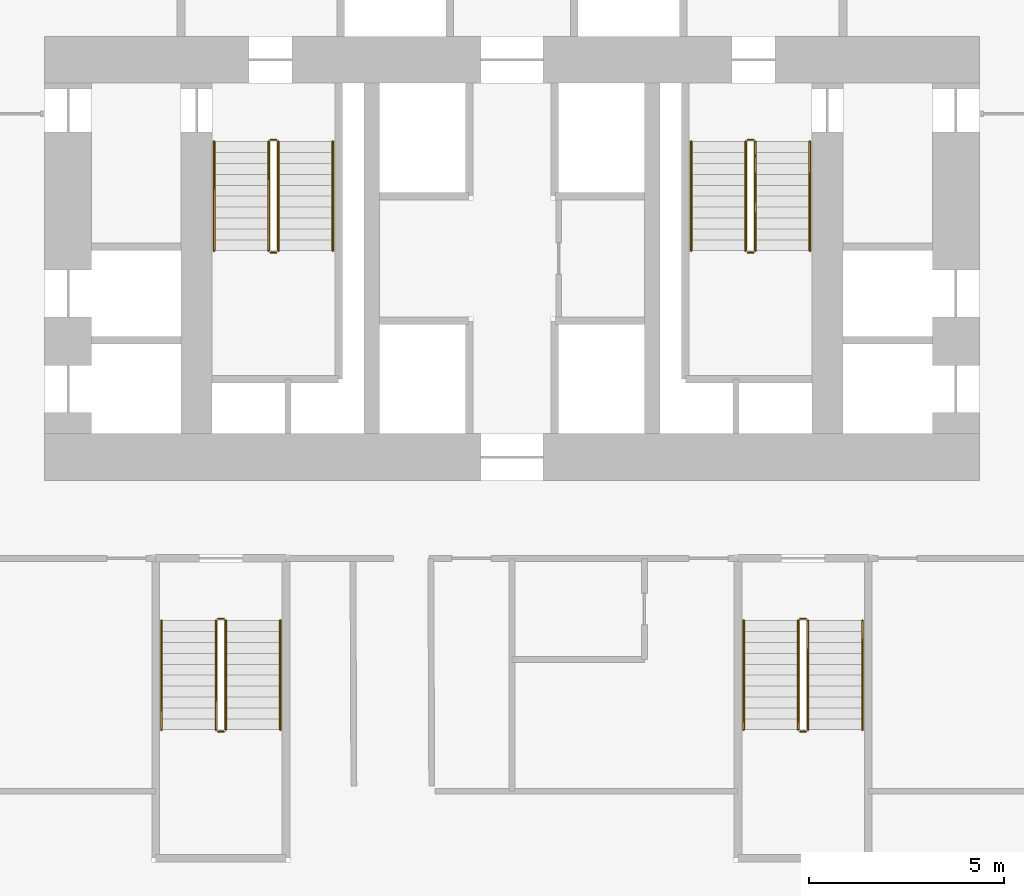
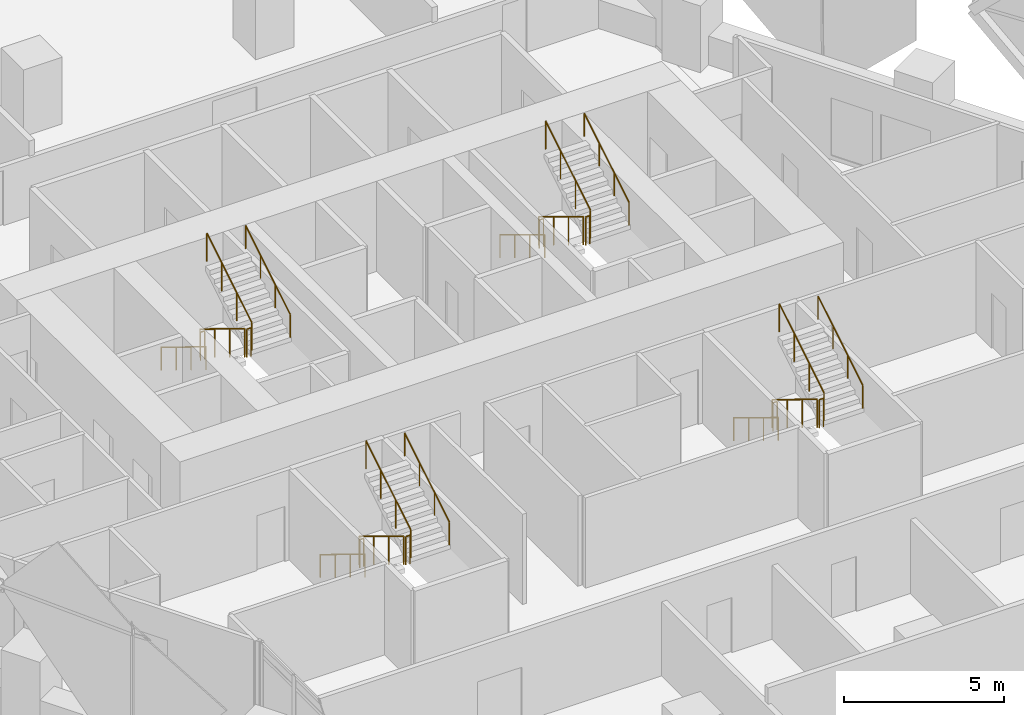
# One storey, part 35 of 35: 24 railings.
"""IFC4 building model written with IfcOpenShell, lengths in metres."""

from ifc_helpers import new_model, si_unit, direction, frame, origin, origin_2d, place, context, subcontext, project, spatial, circle, extrude, material, type_object, element, save


model = new_model("IFC4")

# Units and contexts
model_context = context("Model", 3, precision=1e-05, world=origin(), true_north=direction((0.0, 1.0)))
body_context = subcontext(model_context, "Body", "Model", "MODEL_VIEW")
ifc_project = project(units=[si_unit("LENGTHUNIT", "METRE"), si_unit("AREAUNIT", "SQUARE_METRE"), si_unit("VOLUMEUNIT", "CUBIC_METRE"), si_unit("PLANEANGLEUNIT", "RADIAN"), si_unit("MASSUNIT", "GRAM", prefix="KILO")], contexts=[model_context])

# Site, building, storey
site_placement = place(None, origin())
site = spatial("IfcSite", under=ifc_project, at=site_placement, CompositionType="ELEMENT")
building_placement = place(site_placement, origin())
building = spatial("IfcBuilding", under=site, at=building_placement, Name="Ostrander Bayou Hotel Tower", CompositionType="ELEMENT")
storey_placement = place(building_placement, frame((0.0, 0.0, 69.25)))
storey = spatial("IfcBuildingStorey", under=building, at=storey_placement, Name="L17", CompositionType="ELEMENT", Elevation=69.25)

# Railings
ifc_material_1 = material(Name="Steel ASTM A500 Gr C", Category="steel")
railing_type_1 = type_object("IfcRailingType", Name="GR1 stair guard 1100 mm steel", PredefinedType="GUARDRAIL", material=ifc_material_1)
railing_1_placement = place(storey_placement, frame((-6.25, 7.0, 0.17041015625)))
element("IfcRailing", 1, at=railing_1_placement, inside=storey, type_object=railing_type_1, Name="L17 STA stair guard 1", PredefinedType="GUARDRAIL", context=body_context, shape_type="SweptSolid", body=[
    extrude(circle(Radius=0.02392578125, at=origin_2d()), frame((0.0, 0.0, 1.076171875), z_axis=(0.0, -0.854169791009, 0.51999420009), x_axis=(1.0, 0.0, 0.0)), (0.0, 0.0, 1.0), 3.278076171875),
    extrude(circle(Radius=0.02099609375, at=origin_2d()), origin(), (0.0, 0.0, 1.0), 1.052001953125),
    extrude(circle(Radius=0.02099609375, at=origin_2d()), frame((0.0, -0.933349609375, 0.568115234375)), (0.0, 0.0, 1.0), 1.052001953125),
    extrude(circle(Radius=0.02099609375, at=origin_2d()), frame((0.0, -1.86669921875, 1.136474609375)), (0.0, 0.0, 1.0), 1.052001953125),
    extrude(circle(Radius=0.02099609375, at=origin_2d()), frame((0.0, -2.800048828125, 1.70458984375)), (0.0, 0.0, 1.0), 1.052001953125),
])
railing_2_placement = place(storey_placement, frame((-6.199951171875, 4.14990234375, 1.875)))
element("IfcRailing", 2, at=railing_2_placement, inside=storey, type_object=railing_type_1, Name="L17 STA stair guard 2", PredefinedType="GUARDRAIL", context=body_context, shape_type="SweptSolid", body=[
    extrude(circle(Radius=0.02392578125, at=origin_2d()), frame((0.0, 0.0, 1.076171875), z_axis=(1.0, 0.0, 0.0), x_axis=(0.0, 1.0, 0.0)), (0.0, 0.0, 1.0), 0.14990234375),
    extrude(circle(Radius=0.02099609375, at=origin_2d()), origin(), (0.0, 0.0, 1.0), 1.052001953125),
    extrude(circle(Radius=0.02099609375, at=origin_2d()), frame((0.14990234375, 0.0, 0.0)), (0.0, 0.0, 1.0), 1.052001953125),
])
railing_3_placement = place(storey_placement, frame((-6.0, 4.199951171875, 2.04541015625)))
element("IfcRailing", 3, at=railing_3_placement, inside=storey, type_object=railing_type_1, Name="L17 STA stair guard 3", PredefinedType="GUARDRAIL", context=body_context, shape_type="SweptSolid", body=[
    extrude(circle(Radius=0.02392578125, at=origin_2d()), frame((0.0, 0.0, 1.076171875), z_axis=(0.0, 0.854169791009, 0.51999420009), x_axis=(-1.0, 0.0, 0.0)), (0.0, 0.0, 1.0), 3.278076171875),
    extrude(circle(Radius=0.02099609375, at=origin_2d()), origin(), (0.0, 0.0, 1.0), 1.052001953125),
    extrude(circle(Radius=0.02099609375, at=origin_2d()), frame((0.0, 0.933349609375, 0.568115234375)), (0.0, 0.0, 1.0), 1.052001953125),
    extrude(circle(Radius=0.02099609375, at=origin_2d()), frame((0.0, 1.86669921875, 1.136474609375)), (0.0, 0.0, 1.0), 1.052001953125),
    extrude(circle(Radius=0.02099609375, at=origin_2d()), frame((0.0, 2.800048828125, 1.70458984375)), (0.0, 0.0, 1.0), 1.052001953125),
])
railing_4_placement = place(storey_placement, frame((-6.199951171875, 7.050048828125, 0.0)))
element("IfcRailing", 4, at=railing_4_placement, inside=storey, type_object=railing_type_1, Name="L17 STA stair guard 4", PredefinedType="GUARDRAIL", context=body_context, shape_type="SweptSolid", body=[
    extrude(circle(Radius=0.02392578125, at=origin_2d()), frame((0.0, 0.0, 1.076171875), z_axis=(1.0, 0.0, 0.0), x_axis=(0.0, 1.0, 0.0)), (0.0, 0.0, 1.0), 0.14990234375),
    extrude(circle(Radius=0.02099609375, at=origin_2d()), origin(), (0.0, 0.0, 1.0), 1.052001953125),
    extrude(circle(Radius=0.02099609375, at=origin_2d()), frame((0.14990234375, 0.0, 0.0)), (0.0, 0.0, 1.0), 1.052001953125),
])
railing_5_placement = place(storey_placement, frame((6.0, 7.0, 0.17041015625)))
element("IfcRailing", 5, at=railing_5_placement, inside=storey, type_object=railing_type_1, Name="L17 STB stair guard 1", PredefinedType="GUARDRAIL", context=body_context, shape_type="SweptSolid", body=[
    extrude(circle(Radius=0.02392578125, at=origin_2d()), frame((0.0, 0.0, 1.076171875), z_axis=(0.0, -0.854169791009, 0.51999420009), x_axis=(1.0, 0.0, 0.0)), (0.0, 0.0, 1.0), 3.278076171875),
    extrude(circle(Radius=0.02099609375, at=origin_2d()), origin(), (0.0, 0.0, 1.0), 1.052001953125),
    extrude(circle(Radius=0.02099609375, at=origin_2d()), frame((0.0, -0.933349609375, 0.568115234375)), (0.0, 0.0, 1.0), 1.052001953125),
    extrude(circle(Radius=0.02099609375, at=origin_2d()), frame((0.0, -1.86669921875, 1.136474609375)), (0.0, 0.0, 1.0), 1.052001953125),
    extrude(circle(Radius=0.02099609375, at=origin_2d()), frame((0.0, -2.800048828125, 1.70458984375)), (0.0, 0.0, 1.0), 1.052001953125),
])
railing_6_placement = place(storey_placement, frame((6.050048828125, 4.14990234375, 1.875)))
element("IfcRailing", 6, at=railing_6_placement, inside=storey, type_object=railing_type_1, Name="L17 STB stair guard 2", PredefinedType="GUARDRAIL", context=body_context, shape_type="SweptSolid", body=[
    extrude(circle(Radius=0.02392578125, at=origin_2d()), frame((0.0, 0.0, 1.076171875), z_axis=(1.0, 0.0, 0.0), x_axis=(0.0, 1.0, 0.0)), (0.0, 0.0, 1.0), 0.14990234375),
    extrude(circle(Radius=0.02099609375, at=origin_2d()), origin(), (0.0, 0.0, 1.0), 1.052001953125),
    extrude(circle(Radius=0.02099609375, at=origin_2d()), frame((0.14990234375, 0.0, 0.0)), (0.0, 0.0, 1.0), 1.052001953125),
])
railing_7_placement = place(storey_placement, frame((6.25, 4.199951171875, 2.04541015625)))
element("IfcRailing", 7, at=railing_7_placement, inside=storey, type_object=railing_type_1, Name="L17 STB stair guard 3", PredefinedType="GUARDRAIL", context=body_context, shape_type="SweptSolid", body=[
    extrude(circle(Radius=0.02392578125, at=origin_2d()), frame((0.0, 0.0, 1.076171875), z_axis=(0.0, 0.854169791009, 0.51999420009), x_axis=(-1.0, 0.0, 0.0)), (0.0, 0.0, 1.0), 3.278076171875),
    extrude(circle(Radius=0.02099609375, at=origin_2d()), origin(), (0.0, 0.0, 1.0), 1.052001953125),
    extrude(circle(Radius=0.02099609375, at=origin_2d()), frame((0.0, 0.933349609375, 0.568115234375)), (0.0, 0.0, 1.0), 1.052001953125),
    extrude(circle(Radius=0.02099609375, at=origin_2d()), frame((0.0, 1.86669921875, 1.136474609375)), (0.0, 0.0, 1.0), 1.052001953125),
    extrude(circle(Radius=0.02099609375, at=origin_2d()), frame((0.0, 2.800048828125, 1.70458984375)), (0.0, 0.0, 1.0), 1.052001953125),
])
railing_8_placement = place(storey_placement, frame((6.050048828125, 7.050048828125, 0.0)))
element("IfcRailing", 8, at=railing_8_placement, inside=storey, type_object=railing_type_1, Name="L17 STB stair guard 4", PredefinedType="GUARDRAIL", context=body_context, shape_type="SweptSolid", body=[
    extrude(circle(Radius=0.02392578125, at=origin_2d()), frame((0.0, 0.0, 1.076171875), z_axis=(1.0, 0.0, 0.0), x_axis=(0.0, 1.0, 0.0)), (0.0, 0.0, 1.0), 0.14990234375),
    extrude(circle(Radius=0.02099609375, at=origin_2d()), origin(), (0.0, 0.0, 1.0), 1.052001953125),
    extrude(circle(Radius=0.02099609375, at=origin_2d()), frame((0.14990234375, 0.0, 0.0)), (0.0, 0.0, 1.0), 1.052001953125),
])
railing_9_placement = place(storey_placement, frame((7.35009765625, -5.300048828125, 0.17041015625)))
element("IfcRailing", 9, at=railing_9_placement, inside=storey, type_object=railing_type_1, Name="L17 STC stair guard 1", PredefinedType="GUARDRAIL", context=body_context, shape_type="SweptSolid", body=[
    extrude(circle(Radius=0.02392578125, at=origin_2d()), frame((0.0, 0.0, 1.076171875), z_axis=(0.0, -0.854169791009, 0.51999420009), x_axis=(1.0, 0.0, 0.0)), (0.0, 0.0, 1.0), 3.278076171875),
    extrude(circle(Radius=0.02099609375, at=origin_2d()), origin(), (0.0, 0.0, 1.0), 1.052001953125),
    extrude(circle(Radius=0.02099609375, at=origin_2d()), frame((0.0, -0.933349609375, 0.568115234375)), (0.0, 0.0, 1.0), 1.052001953125),
    extrude(circle(Radius=0.02099609375, at=origin_2d()), frame((0.0, -1.86669921875, 1.136474609375)), (0.0, 0.0, 1.0), 1.052001953125),
    extrude(circle(Radius=0.02099609375, at=origin_2d()), frame((0.0, -2.800048828125, 1.70458984375)), (0.0, 0.0, 1.0), 1.052001953125),
])
railing_10_placement = place(storey_placement, frame((7.39990234375, -8.14990234375, 1.875)))
element("IfcRailing", 10, at=railing_10_placement, inside=storey, type_object=railing_type_1, Name="L17 STC stair guard 2", PredefinedType="GUARDRAIL", context=body_context, shape_type="SweptSolid", body=[
    extrude(circle(Radius=0.02392578125, at=origin_2d()), frame((0.0, 0.0, 1.076171875), z_axis=(1.0, 0.0, 0.0), x_axis=(0.0, 1.0, 0.0)), (0.0, 0.0, 1.0), 0.150146484375),
    extrude(circle(Radius=0.02099609375, at=origin_2d()), origin(), (0.0, 0.0, 1.0), 1.052001953125),
    extrude(circle(Radius=0.02099609375, at=origin_2d()), frame((0.150146484375, 0.0, 0.0)), (0.0, 0.0, 1.0), 1.052001953125),
])
railing_11_placement = place(storey_placement, frame((7.60009765625, -8.10009765625, 2.04541015625)))
element("IfcRailing", 11, at=railing_11_placement, inside=storey, type_object=railing_type_1, Name="L17 STC stair guard 3", PredefinedType="GUARDRAIL", context=body_context, shape_type="SweptSolid", body=[
    extrude(circle(Radius=0.02392578125, at=origin_2d()), frame((0.0, 0.0, 1.076171875), z_axis=(0.0, 0.854169791009, 0.51999420009), x_axis=(-1.0, 0.0, 0.0)), (0.0, 0.0, 1.0), 3.278076171875),
    extrude(circle(Radius=0.02099609375, at=origin_2d()), origin(), (0.0, 0.0, 1.0), 1.052001953125),
    extrude(circle(Radius=0.02099609375, at=origin_2d()), frame((0.0, 0.933349609375, 0.568115234375)), (0.0, 0.0, 1.0), 1.052001953125),
    extrude(circle(Radius=0.02099609375, at=origin_2d()), frame((0.0, 1.86669921875, 1.136474609375)), (0.0, 0.0, 1.0), 1.052001953125),
    extrude(circle(Radius=0.02099609375, at=origin_2d()), frame((0.0, 2.800048828125, 1.70458984375)), (0.0, 0.0, 1.0), 1.052001953125),
])
railing_12_placement = place(storey_placement, frame((7.39990234375, -5.25, 0.0)))
element("IfcRailing", 12, at=railing_12_placement, inside=storey, type_object=railing_type_1, Name="L17 STC stair guard 4", PredefinedType="GUARDRAIL", context=body_context, shape_type="SweptSolid", body=[
    extrude(circle(Radius=0.02392578125, at=origin_2d()), frame((0.0, 0.0, 1.076171875), z_axis=(1.0, 0.0, 0.0), x_axis=(0.0, 1.0, 0.0)), (0.0, 0.0, 1.0), 0.150146484375),
    extrude(circle(Radius=0.02099609375, at=origin_2d()), origin(), (0.0, 0.0, 1.0), 1.052001953125),
    extrude(circle(Radius=0.02099609375, at=origin_2d()), frame((0.150146484375, 0.0, 0.0)), (0.0, 0.0, 1.0), 1.052001953125),
])
railing_13_placement = place(storey_placement, frame((-7.60009765625, -5.300048828125, 0.17041015625)))
element("IfcRailing", 13, at=railing_13_placement, inside=storey, type_object=railing_type_1, Name="L17 STD stair guard 1", PredefinedType="GUARDRAIL", context=body_context, shape_type="SweptSolid", body=[
    extrude(circle(Radius=0.02392578125, at=origin_2d()), frame((0.0, 0.0, 1.076171875), z_axis=(0.0, -0.854169791009, 0.51999420009), x_axis=(1.0, 0.0, 0.0)), (0.0, 0.0, 1.0), 3.278076171875),
    extrude(circle(Radius=0.02099609375, at=origin_2d()), origin(), (0.0, 0.0, 1.0), 1.052001953125),
    extrude(circle(Radius=0.02099609375, at=origin_2d()), frame((0.0, -0.933349609375, 0.568115234375)), (0.0, 0.0, 1.0), 1.052001953125),
    extrude(circle(Radius=0.02099609375, at=origin_2d()), frame((0.0, -1.86669921875, 1.136474609375)), (0.0, 0.0, 1.0), 1.052001953125),
    extrude(circle(Radius=0.02099609375, at=origin_2d()), frame((0.0, -2.800048828125, 1.70458984375)), (0.0, 0.0, 1.0), 1.052001953125),
])
railing_14_placement = place(storey_placement, frame((-7.550048828125, -8.14990234375, 1.875)))
element("IfcRailing", 14, at=railing_14_placement, inside=storey, type_object=railing_type_1, Name="L17 STD stair guard 2", PredefinedType="GUARDRAIL", context=body_context, shape_type="SweptSolid", body=[
    extrude(circle(Radius=0.02392578125, at=origin_2d()), frame((0.0, 0.0, 1.076171875), z_axis=(1.0, 0.0, 0.0), x_axis=(0.0, 1.0, 0.0)), (0.0, 0.0, 1.0), 0.150146484375),
    extrude(circle(Radius=0.02099609375, at=origin_2d()), origin(), (0.0, 0.0, 1.0), 1.052001953125),
    extrude(circle(Radius=0.02099609375, at=origin_2d()), frame((0.150146484375, 0.0, 0.0)), (0.0, 0.0, 1.0), 1.052001953125),
])
railing_15_placement = place(storey_placement, frame((-7.35009765625, -8.10009765625, 2.04541015625)))
element("IfcRailing", 15, at=railing_15_placement, inside=storey, type_object=railing_type_1, Name="L17 STD stair guard 3", PredefinedType="GUARDRAIL", context=body_context, shape_type="SweptSolid", body=[
    extrude(circle(Radius=0.02392578125, at=origin_2d()), frame((0.0, 0.0, 1.076171875), z_axis=(0.0, 0.854169791009, 0.51999420009), x_axis=(-1.0, 0.0, 0.0)), (0.0, 0.0, 1.0), 3.278076171875),
    extrude(circle(Radius=0.02099609375, at=origin_2d()), origin(), (0.0, 0.0, 1.0), 1.052001953125),
    extrude(circle(Radius=0.02099609375, at=origin_2d()), frame((0.0, 0.933349609375, 0.568115234375)), (0.0, 0.0, 1.0), 1.052001953125),
    extrude(circle(Radius=0.02099609375, at=origin_2d()), frame((0.0, 1.86669921875, 1.136474609375)), (0.0, 0.0, 1.0), 1.052001953125),
    extrude(circle(Radius=0.02099609375, at=origin_2d()), frame((0.0, 2.800048828125, 1.70458984375)), (0.0, 0.0, 1.0), 1.052001953125),
])
railing_16_placement = place(storey_placement, frame((-7.550048828125, -5.25, 0.0)))
element("IfcRailing", 16, at=railing_16_placement, inside=storey, type_object=railing_type_1, Name="L17 STD stair guard 4", PredefinedType="GUARDRAIL", context=body_context, shape_type="SweptSolid", body=[
    extrude(circle(Radius=0.02392578125, at=origin_2d()), frame((0.0, 0.0, 1.076171875), z_axis=(1.0, 0.0, 0.0), x_axis=(0.0, 1.0, 0.0)), (0.0, 0.0, 1.0), 0.150146484375),
    extrude(circle(Radius=0.02099609375, at=origin_2d()), origin(), (0.0, 0.0, 1.0), 1.052001953125),
    extrude(circle(Radius=0.02099609375, at=origin_2d()), frame((0.150146484375, 0.0, 0.0)), (0.0, 0.0, 1.0), 1.052001953125),
])
ifc_material_2 = material(Name="Steel ASTM A500 Gr C", Category="steel")
railing_type_2 = type_object("IfcRailingType", Name="HR1 stair handrail 900 mm steel", PredefinedType="HANDRAIL", material=ifc_material_2)
railing_17_placement = place(storey_placement, frame((-7.64990234375, 7.0, 0.17041015625)))
element("IfcRailing", 17, at=railing_17_placement, inside=storey, type_object=railing_type_2, Name="L17 STA stair handrail 1", PredefinedType="HANDRAIL", context=body_context, shape_type="SweptSolid", body=[
    extrude(circle(Radius=0.02392578125, at=origin_2d()), frame((0.0, 0.0, 0.8759765625), z_axis=(0.0, -0.854169791009, 0.51999420009), x_axis=(1.0, 0.0, 0.0)), (0.0, 0.0, 1.0), 3.278076171875),
    extrude(circle(Radius=0.02099609375, at=origin_2d()), origin(), (0.0, 0.0, 1.0), 0.851806640625),
    extrude(circle(Radius=0.02099609375, at=origin_2d()), frame((0.0, -0.933349609375, 0.568115234375)), (0.0, 0.0, 1.0), 0.851806640625),
    extrude(circle(Radius=0.02099609375, at=origin_2d()), frame((0.0, -1.86669921875, 1.136474609375)), (0.0, 0.0, 1.0), 0.851806640625),
    extrude(circle(Radius=0.02099609375, at=origin_2d()), frame((0.0, -2.800048828125, 1.70458984375)), (0.0, 0.0, 1.0), 0.851806640625),
])
railing_18_placement = place(storey_placement, frame((-4.60009765625, 4.199951171875, 2.04541015625)))
element("IfcRailing", 18, at=railing_18_placement, inside=storey, type_object=railing_type_2, Name="L17 STA stair handrail 2", PredefinedType="HANDRAIL", context=body_context, shape_type="SweptSolid", body=[
    extrude(circle(Radius=0.02392578125, at=origin_2d()), frame((0.0, 0.0, 0.8759765625), z_axis=(0.0, 0.854169791009, 0.51999420009), x_axis=(-1.0, 0.0, 0.0)), (0.0, 0.0, 1.0), 3.278076171875),
    extrude(circle(Radius=0.02099609375, at=origin_2d()), origin(), (0.0, 0.0, 1.0), 0.851806640625),
    extrude(circle(Radius=0.02099609375, at=origin_2d()), frame((0.0, 0.933349609375, 0.568115234375)), (0.0, 0.0, 1.0), 0.851806640625),
    extrude(circle(Radius=0.02099609375, at=origin_2d()), frame((0.0, 1.86669921875, 1.136474609375)), (0.0, 0.0, 1.0), 0.851806640625),
    extrude(circle(Radius=0.02099609375, at=origin_2d()), frame((0.0, 2.800048828125, 1.70458984375)), (0.0, 0.0, 1.0), 0.851806640625),
])
railing_19_placement = place(storey_placement, frame((4.60009765625, 7.0, 0.17041015625)))
element("IfcRailing", 19, at=railing_19_placement, inside=storey, type_object=railing_type_2, Name="L17 STB stair handrail 1", PredefinedType="HANDRAIL", context=body_context, shape_type="SweptSolid", body=[
    extrude(circle(Radius=0.02392578125, at=origin_2d()), frame((0.0, 0.0, 0.8759765625), z_axis=(0.0, -0.854169791009, 0.51999420009), x_axis=(1.0, 0.0, 0.0)), (0.0, 0.0, 1.0), 3.278076171875),
    extrude(circle(Radius=0.02099609375, at=origin_2d()), origin(), (0.0, 0.0, 1.0), 0.851806640625),
    extrude(circle(Radius=0.02099609375, at=origin_2d()), frame((0.0, -0.933349609375, 0.568115234375)), (0.0, 0.0, 1.0), 0.851806640625),
    extrude(circle(Radius=0.02099609375, at=origin_2d()), frame((0.0, -1.86669921875, 1.136474609375)), (0.0, 0.0, 1.0), 0.851806640625),
    extrude(circle(Radius=0.02099609375, at=origin_2d()), frame((0.0, -2.800048828125, 1.70458984375)), (0.0, 0.0, 1.0), 0.851806640625),
])
railing_20_placement = place(storey_placement, frame((7.64990234375, 4.199951171875, 2.04541015625)))
element("IfcRailing", 20, at=railing_20_placement, inside=storey, type_object=railing_type_2, Name="L17 STB stair handrail 2", PredefinedType="HANDRAIL", context=body_context, shape_type="SweptSolid", body=[
    extrude(circle(Radius=0.02392578125, at=origin_2d()), frame((0.0, 0.0, 0.8759765625), z_axis=(0.0, 0.854169791009, 0.51999420009), x_axis=(-1.0, 0.0, 0.0)), (0.0, 0.0, 1.0), 3.278076171875),
    extrude(circle(Radius=0.02099609375, at=origin_2d()), origin(), (0.0, 0.0, 1.0), 0.851806640625),
    extrude(circle(Radius=0.02099609375, at=origin_2d()), frame((0.0, 0.933349609375, 0.568115234375)), (0.0, 0.0, 1.0), 0.851806640625),
    extrude(circle(Radius=0.02099609375, at=origin_2d()), frame((0.0, 1.86669921875, 1.136474609375)), (0.0, 0.0, 1.0), 0.851806640625),
    extrude(circle(Radius=0.02099609375, at=origin_2d()), frame((0.0, 2.800048828125, 1.70458984375)), (0.0, 0.0, 1.0), 0.851806640625),
])
railing_21_placement = place(storey_placement, frame((5.949951171875, -5.300048828125, 0.17041015625)))
element("IfcRailing", 21, at=railing_21_placement, inside=storey, type_object=railing_type_2, Name="L17 STC stair handrail 1", PredefinedType="HANDRAIL", context=body_context, shape_type="SweptSolid", body=[
    extrude(circle(Radius=0.02392578125, at=origin_2d()), frame((0.0, 0.0, 0.8759765625), z_axis=(0.0, -0.854169791009, 0.51999420009), x_axis=(1.0, 0.0, 0.0)), (0.0, 0.0, 1.0), 3.278076171875),
    extrude(circle(Radius=0.02099609375, at=origin_2d()), origin(), (0.0, 0.0, 1.0), 0.851806640625),
    extrude(circle(Radius=0.02099609375, at=origin_2d()), frame((0.0, -0.933349609375, 0.568115234375)), (0.0, 0.0, 1.0), 0.851806640625),
    extrude(circle(Radius=0.02099609375, at=origin_2d()), frame((0.0, -1.86669921875, 1.136474609375)), (0.0, 0.0, 1.0), 0.851806640625),
    extrude(circle(Radius=0.02099609375, at=origin_2d()), frame((0.0, -2.800048828125, 1.70458984375)), (0.0, 0.0, 1.0), 0.851806640625),
])
railing_22_placement = place(storey_placement, frame((9.0, -8.10009765625, 2.04541015625)))
element("IfcRailing", 22, at=railing_22_placement, inside=storey, type_object=railing_type_2, Name="L17 STC stair handrail 2", PredefinedType="HANDRAIL", context=body_context, shape_type="SweptSolid", body=[
    extrude(circle(Radius=0.02392578125, at=origin_2d()), frame((0.0, 0.0, 0.8759765625), z_axis=(0.0, 0.854169791009, 0.51999420009), x_axis=(-1.0, 0.0, 0.0)), (0.0, 0.0, 1.0), 3.278076171875),
    extrude(circle(Radius=0.02099609375, at=origin_2d()), origin(), (0.0, 0.0, 1.0), 0.851806640625),
    extrude(circle(Radius=0.02099609375, at=origin_2d()), frame((0.0, 0.933349609375, 0.568115234375)), (0.0, 0.0, 1.0), 0.851806640625),
    extrude(circle(Radius=0.02099609375, at=origin_2d()), frame((0.0, 1.86669921875, 1.136474609375)), (0.0, 0.0, 1.0), 0.851806640625),
    extrude(circle(Radius=0.02099609375, at=origin_2d()), frame((0.0, 2.800048828125, 1.70458984375)), (0.0, 0.0, 1.0), 0.851806640625),
])
railing_23_placement = place(storey_placement, frame((-9.0, -5.300048828125, 0.17041015625)))
element("IfcRailing", 23, at=railing_23_placement, inside=storey, type_object=railing_type_2, Name="L17 STD stair handrail 1", PredefinedType="HANDRAIL", context=body_context, shape_type="SweptSolid", body=[
    extrude(circle(Radius=0.02392578125, at=origin_2d()), frame((0.0, 0.0, 0.8759765625), z_axis=(0.0, -0.854169791009, 0.51999420009), x_axis=(1.0, 0.0, 0.0)), (0.0, 0.0, 1.0), 3.278076171875),
    extrude(circle(Radius=0.02099609375, at=origin_2d()), origin(), (0.0, 0.0, 1.0), 0.851806640625),
    extrude(circle(Radius=0.02099609375, at=origin_2d()), frame((0.0, -0.933349609375, 0.568115234375)), (0.0, 0.0, 1.0), 0.851806640625),
    extrude(circle(Radius=0.02099609375, at=origin_2d()), frame((0.0, -1.86669921875, 1.136474609375)), (0.0, 0.0, 1.0), 0.851806640625),
    extrude(circle(Radius=0.02099609375, at=origin_2d()), frame((0.0, -2.800048828125, 1.70458984375)), (0.0, 0.0, 1.0), 0.851806640625),
])
railing_24_placement = place(storey_placement, frame((-5.949951171875, -8.10009765625, 2.04541015625)))
element("IfcRailing", 24, at=railing_24_placement, inside=storey, type_object=railing_type_2, Name="L17 STD stair handrail 2", PredefinedType="HANDRAIL", context=body_context, shape_type="SweptSolid", body=[
    extrude(circle(Radius=0.02392578125, at=origin_2d()), frame((0.0, 0.0, 0.8759765625), z_axis=(0.0, 0.854169791009, 0.51999420009), x_axis=(-1.0, 0.0, 0.0)), (0.0, 0.0, 1.0), 3.278076171875),
    extrude(circle(Radius=0.02099609375, at=origin_2d()), origin(), (0.0, 0.0, 1.0), 0.851806640625),
    extrude(circle(Radius=0.02099609375, at=origin_2d()), frame((0.0, 0.933349609375, 0.568115234375)), (0.0, 0.0, 1.0), 0.851806640625),
    extrude(circle(Radius=0.02099609375, at=origin_2d()), frame((0.0, 1.86669921875, 1.136474609375)), (0.0, 0.0, 1.0), 0.851806640625),
    extrude(circle(Radius=0.02099609375, at=origin_2d()), frame((0.0, 2.800048828125, 1.70458984375)), (0.0, 0.0, 1.0), 0.851806640625),
])

save(model, "model.ifc")
